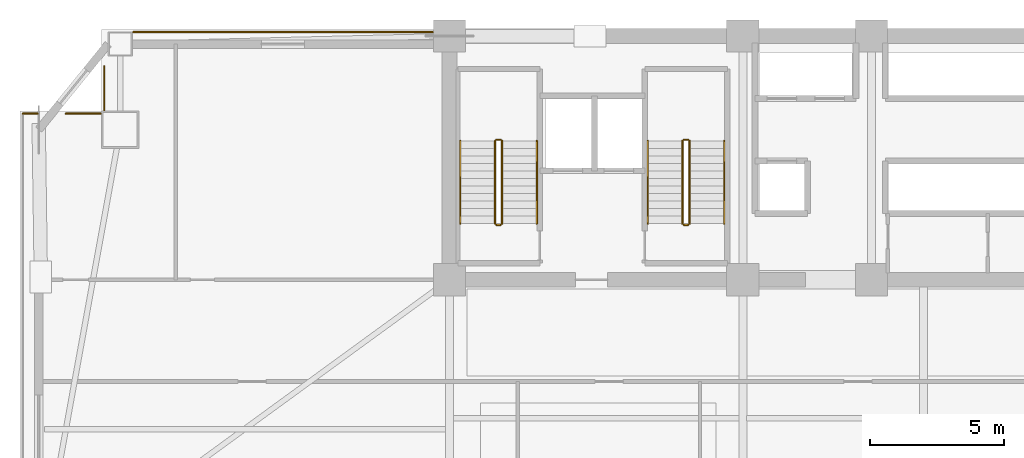
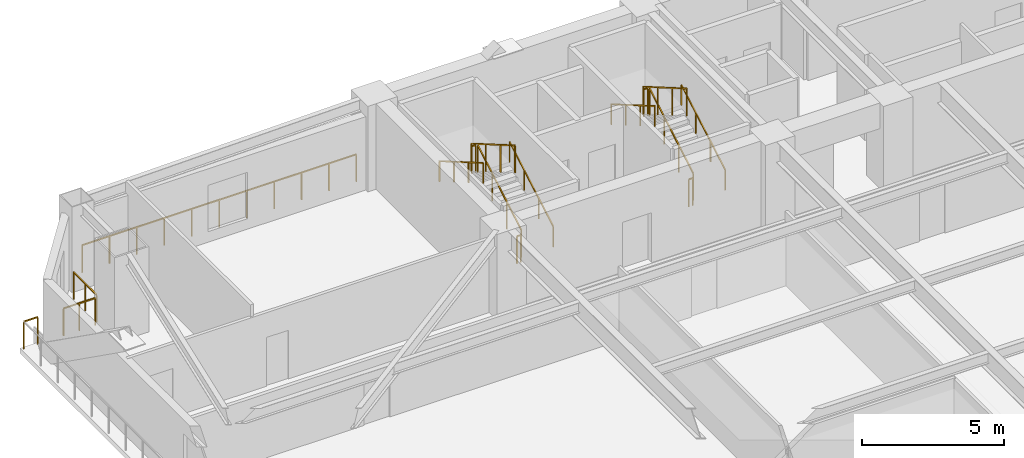
# One storey, part 14 of 15: 16 railings.
"""IFC4 building model written with IfcOpenShell, lengths in metres."""

from ifc_helpers import new_model, si_unit, direction, frame, origin, origin_2d, place, context, subcontext, project, spatial, rectangle, extrude, material, type_object, element, save


model = new_model("IFC4")

# Units and contexts
model_context = context("Model", 3, precision=1e-05, world=origin(), true_north=direction((0.0, 1.0)))
body_context = subcontext(model_context, "Body", "Model", "MODEL_VIEW")
ifc_project = project(units=[si_unit("LENGTHUNIT", "METRE"), si_unit("AREAUNIT", "SQUARE_METRE"), si_unit("VOLUMEUNIT", "CUBIC_METRE"), si_unit("PLANEANGLEUNIT", "RADIAN"), si_unit("MASSUNIT", "GRAM", prefix="KILO")], contexts=[model_context])

# Site, building, storey
site_placement = place(None, origin())
site = spatial("IfcSite", under=ifc_project, at=site_placement, CompositionType="ELEMENT")
building_placement = place(site_placement, origin())
building = spatial("IfcBuilding", under=site, at=building_placement, Name="Giltprow Tower", CompositionType="ELEMENT")
storey_placement = place(building_placement, frame((0.0, 0.0, 99.699951171875)))
storey = spatial("IfcBuildingStorey", under=building, at=storey_placement, Name="L24", CompositionType="ELEMENT", Elevation=99.699951171875)

# Railings
ifc_material = material(Name="Anodized bronze", Category="metal")
railing_type_1 = type_object("IfcRailingType", Name="RAIL-BALC-GUARD-1200", PredefinedType="BALUSTRADE", material=ifc_material)
railing_1_placement = place(storey_placement, frame((3.909912109375, 43.656005859375, 0.0)))
element("IfcRailing", 1, at=railing_1_placement, inside=storey, type_object=railing_type_1, Name="L24 Corner Apron Edge Balustrade 6", PredefinedType="BALUSTRADE", context=body_context, shape_type="SweptSolid", body=[
    extrude(rectangle(XDim=0.048095703125, YDim=0.048095703125, at=origin_2d()), frame((0.0, 0.0, 1.17578125), z_axis=(1.0, 0.0, 0.0), x_axis=(0.0, 1.0, 0.0)), (0.0, 0.0, 1.0), 0.55908203125),
    extrude(rectangle(XDim=0.0419921875, YDim=0.0419921875, at=origin_2d()), origin(), (0.0, 0.0, 1.0), 1.15185546875),
    extrude(rectangle(XDim=0.0419921875, YDim=0.0419921875, at=origin_2d()), frame((0.55908203125, 0.0, 0.0)), (0.0, 0.0, 1.0), 1.15185546875),
])
railing_2_placement = place(storey_placement, frame((5.52490234375, 43.656005859375, 0.0)))
element("IfcRailing", 2, at=railing_2_placement, inside=storey, type_object=railing_type_1, Name="L24 Corner Apron Edge Balustrade 7", PredefinedType="BALUSTRADE", context=body_context, shape_type="SweptSolid", body=[
    extrude(rectangle(XDim=0.048095703125, YDim=0.048095703125, at=origin_2d()), frame((0.0, 0.0, 1.17578125), z_axis=(1.0, 0.0, 0.0), x_axis=(0.0, 1.0, 0.0)), (0.0, 0.0, 1.0), 1.293212890625),
    extrude(rectangle(XDim=0.0419921875, YDim=0.0419921875, at=origin_2d()), origin(), (0.0, 0.0, 1.0), 1.15185546875),
    extrude(rectangle(XDim=0.0419921875, YDim=0.0419921875, at=origin_2d()), frame((0.646484375, 0.0, 0.0)), (0.0, 0.0, 1.0), 1.15185546875),
    extrude(rectangle(XDim=0.0419921875, YDim=0.0419921875, at=origin_2d()), frame((1.293212890625, 0.0, 0.0)), (0.0, 0.0, 1.0), 1.15185546875),
])
railing_3_placement = place(storey_placement, frame((6.952880859375, 43.791015625, 0.0)))
element("IfcRailing", 3, at=railing_3_placement, inside=storey, type_object=railing_type_1, Name="L24 Corner Apron Edge Balustrade 8", PredefinedType="BALUSTRADE", context=body_context, shape_type="SweptSolid", body=[
    extrude(rectangle(XDim=0.048095703125, YDim=0.048095703125, at=origin_2d()), frame((0.0, 0.0, 1.17578125), z_axis=(0.0, 1.0, 0.0), x_axis=(-1.0, 0.0, 0.0)), (0.0, 0.0, 1.0), 1.6240234375),
    extrude(rectangle(XDim=0.0419921875, YDim=0.0419921875, at=origin_2d()), origin(), (0.0, 0.0, 1.0), 1.15185546875),
    extrude(rectangle(XDim=0.0419921875, YDim=0.0419921875, at=origin_2d()), frame((0.0, 0.81201171875, 0.0)), (0.0, 0.0, 1.0), 1.15185546875),
    extrude(rectangle(XDim=0.0419921875, YDim=0.0419921875, at=origin_2d()), frame((0.0, 1.6240234375, 0.0)), (0.0, 0.0, 1.0), 1.15185546875),
])
railing_4_placement = place(storey_placement, frame((8.0380859375, 46.698974609375, 0.0)))
element("IfcRailing", 4, at=railing_4_placement, inside=storey, type_object=railing_type_1, Name="L24 Corner Apron Edge Balustrade 9", PredefinedType="BALUSTRADE", context=body_context, shape_type="SweptSolid", body=[
    extrude(rectangle(XDim=0.048095703125, YDim=0.048095703125, at=origin_2d()), frame((0.0, 0.0, 1.17578125), z_axis=(1.0, 0.0, 0.0), x_axis=(0.0, 1.0, 0.0)), (0.0, 0.0, 1.0), 11.177001953125),
    extrude(rectangle(XDim=0.0419921875, YDim=0.0419921875, at=origin_2d()), origin(), (0.0, 0.0, 1.0), 1.15185546875),
    extrude(rectangle(XDim=0.0419921875, YDim=0.0419921875, at=origin_2d()), frame((1.11767578125, 0.0, 0.0)), (0.0, 0.0, 1.0), 1.15185546875),
    extrude(rectangle(XDim=0.0419921875, YDim=0.0419921875, at=origin_2d()), frame((2.2353515625, 0.0, 0.0)), (0.0, 0.0, 1.0), 1.15185546875),
    extrude(rectangle(XDim=0.0419921875, YDim=0.0419921875, at=origin_2d()), frame((3.35302734375, 0.0, 0.0)), (0.0, 0.0, 1.0), 1.15185546875),
    extrude(rectangle(XDim=0.0419921875, YDim=0.0419921875, at=origin_2d()), frame((4.470703125, 0.0, 0.0)), (0.0, 0.0, 1.0), 1.15185546875),
    extrude(rectangle(XDim=0.0419921875, YDim=0.0419921875, at=origin_2d()), frame((5.58837890625, 0.0, 0.0)), (0.0, 0.0, 1.0), 1.15185546875),
    extrude(rectangle(XDim=0.0419921875, YDim=0.0419921875, at=origin_2d()), frame((6.706298828125, 0.0, 0.0)), (0.0, 0.0, 1.0), 1.15185546875),
    extrude(rectangle(XDim=0.0419921875, YDim=0.0419921875, at=origin_2d()), frame((7.823974609375, 0.0, 0.0)), (0.0, 0.0, 1.0), 1.15185546875),
    extrude(rectangle(XDim=0.0419921875, YDim=0.0419921875, at=origin_2d()), frame((8.941650390625, 0.0, 0.0)), (0.0, 0.0, 1.0), 1.15185546875),
    extrude(rectangle(XDim=0.0419921875, YDim=0.0419921875, at=origin_2d()), frame((10.059326171875, 0.0, 0.0)), (0.0, 0.0, 1.0), 1.15185546875),
    extrude(rectangle(XDim=0.0419921875, YDim=0.0419921875, at=origin_2d()), frame((11.177001953125, 0.0, 0.0)), (0.0, 0.0, 1.0), 1.15185546875),
])
railing_type_2 = type_object("IfcRailingType", Name="RAIL-STAIR-GUARD-1200", PredefinedType="GUARDRAIL", material=ifc_material)
railing_5_placement = place(storey_placement, frame((21.81005859375, 39.550048828125, 0.16259765625)))
element("IfcRailing", 5, at=railing_5_placement, inside=storey, type_object=railing_type_2, Name="L24 ST-1 stair guard 1", PredefinedType="GUARDRAIL", context=body_context, shape_type="SweptSolid", body=[
    extrude(rectangle(XDim=0.048095703125, YDim=0.048095703125, at=origin_2d()), frame((0.0, 0.0, 1.17578125), z_axis=(0.0, 0.864903211148, 0.501938676878), x_axis=(-1.0, 0.0, 0.0)), (0.0, 0.0, 1.0), 3.560791015625),
    extrude(rectangle(XDim=0.0419921875, YDim=0.0419921875, at=origin_2d()), origin(), (0.0, 0.0, 1.0), 1.15185546875),
    extrude(rectangle(XDim=0.0419921875, YDim=0.0419921875, at=origin_2d()), frame((0.0, 1.026611328125, 0.595703125)), (0.0, 0.0, 1.0), 1.15185546875),
    extrude(rectangle(XDim=0.0419921875, YDim=0.0419921875, at=origin_2d()), frame((0.0, 2.05322265625, 1.191650390625)), (0.0, 0.0, 1.0), 1.15185546875),
    extrude(rectangle(XDim=0.0419921875, YDim=0.0419921875, at=origin_2d()), frame((0.0, 3.079833984375, 1.787353515625)), (0.0, 0.0, 1.0), 1.15185546875),
])
railing_6_placement = place(storey_placement, frame((21.760009765625, 42.679931640625, 1.949951171875)))
element("IfcRailing", 6, at=railing_6_placement, inside=storey, type_object=railing_type_2, Name="L24 ST-1 stair guard 2", PredefinedType="GUARDRAIL", context=body_context, shape_type="SweptSolid", body=[
    extrude(rectangle(XDim=0.048095703125, YDim=0.048095703125, at=origin_2d()), frame((0.0, 0.0, 1.17578125), z_axis=(-1.0, 0.0, 0.0), x_axis=(0.0, -1.0, 0.0)), (0.0, 0.0, 1.0), 0.159912109375),
    extrude(rectangle(XDim=0.0419921875, YDim=0.0419921875, at=origin_2d()), origin(), (0.0, 0.0, 1.0), 1.15185546875),
    extrude(rectangle(XDim=0.0419921875, YDim=0.0419921875, at=origin_2d()), frame((-0.159912109375, 0.0, 0.0)), (0.0, 0.0, 1.0), 1.15185546875),
])
railing_7_placement = place(storey_placement, frame((21.550048828125, 42.6298828125, 2.112548828125)))
element("IfcRailing", 7, at=railing_7_placement, inside=storey, type_object=railing_type_2, Name="L24 ST-1 stair guard 3", PredefinedType="GUARDRAIL", context=body_context, shape_type="SweptSolid", body=[
    extrude(rectangle(XDim=0.048095703125, YDim=0.048095703125, at=origin_2d()), frame((0.0, 0.0, 1.17578125), z_axis=(0.0, -0.864873446163, 0.501989962173), x_axis=(1.0, 0.0, 0.0)), (0.0, 0.0, 1.0), 3.56103515625),
    extrude(rectangle(XDim=0.0419921875, YDim=0.0419921875, at=origin_2d()), origin(), (0.0, 0.0, 1.0), 1.15185546875),
    extrude(rectangle(XDim=0.0419921875, YDim=0.0419921875, at=origin_2d()), frame((0.0, -1.026611328125, 0.595947265625)), (0.0, 0.0, 1.0), 1.15185546875),
    extrude(rectangle(XDim=0.0419921875, YDim=0.0419921875, at=origin_2d()), frame((0.0, -2.05322265625, 1.191650390625)), (0.0, 0.0, 1.0), 1.15185546875),
    extrude(rectangle(XDim=0.0419921875, YDim=0.0419921875, at=origin_2d()), frame((0.0, -3.079833984375, 1.78759765625)), (0.0, 0.0, 1.0), 1.15185546875),
])
railing_8_placement = place(storey_placement, frame((21.760009765625, 39.5, 0.0)))
element("IfcRailing", 8, at=railing_8_placement, inside=storey, type_object=railing_type_2, Name="L24 ST-1 stair guard 4", PredefinedType="GUARDRAIL", context=body_context, shape_type="SweptSolid", body=[
    extrude(rectangle(XDim=0.048095703125, YDim=0.048095703125, at=origin_2d()), frame((0.0, 0.0, 1.17578125), z_axis=(-1.0, 0.0, 0.0), x_axis=(0.0, -1.0, 0.0)), (0.0, 0.0, 1.0), 0.159912109375),
    extrude(rectangle(XDim=0.0419921875, YDim=0.0419921875, at=origin_2d()), origin(), (0.0, 0.0, 1.0), 1.15185546875),
    extrude(rectangle(XDim=0.0419921875, YDim=0.0419921875, at=origin_2d()), frame((-0.159912109375, 0.0, 0.0)), (0.0, 0.0, 1.0), 1.15185546875),
])
railing_9_placement = place(storey_placement, frame((28.81005859375, 39.550048828125, 0.16259765625)))
element("IfcRailing", 9, at=railing_9_placement, inside=storey, type_object=railing_type_2, Name="L24 ST-2 stair guard 1", PredefinedType="GUARDRAIL", context=body_context, shape_type="SweptSolid", body=[
    extrude(rectangle(XDim=0.048095703125, YDim=0.048095703125, at=origin_2d()), frame((0.0, 0.0, 1.17578125), z_axis=(0.0, 0.864903211148, 0.501938676878), x_axis=(-1.0, 0.0, 0.0)), (0.0, 0.0, 1.0), 3.560791015625),
    extrude(rectangle(XDim=0.0419921875, YDim=0.0419921875, at=origin_2d()), origin(), (0.0, 0.0, 1.0), 1.15185546875),
    extrude(rectangle(XDim=0.0419921875, YDim=0.0419921875, at=origin_2d()), frame((0.0, 1.026611328125, 0.595703125)), (0.0, 0.0, 1.0), 1.15185546875),
    extrude(rectangle(XDim=0.0419921875, YDim=0.0419921875, at=origin_2d()), frame((0.0, 2.05322265625, 1.191650390625)), (0.0, 0.0, 1.0), 1.15185546875),
    extrude(rectangle(XDim=0.0419921875, YDim=0.0419921875, at=origin_2d()), frame((0.0, 3.079833984375, 1.787353515625)), (0.0, 0.0, 1.0), 1.15185546875),
])
railing_10_placement = place(storey_placement, frame((28.760009765625, 42.679931640625, 1.949951171875)))
element("IfcRailing", 10, at=railing_10_placement, inside=storey, type_object=railing_type_2, Name="L24 ST-2 stair guard 2", PredefinedType="GUARDRAIL", context=body_context, shape_type="SweptSolid", body=[
    extrude(rectangle(XDim=0.048095703125, YDim=0.048095703125, at=origin_2d()), frame((0.0, 0.0, 1.17578125), z_axis=(-1.0, 0.0, 0.0), x_axis=(0.0, -1.0, 0.0)), (0.0, 0.0, 1.0), 0.159912109375),
    extrude(rectangle(XDim=0.0419921875, YDim=0.0419921875, at=origin_2d()), origin(), (0.0, 0.0, 1.0), 1.15185546875),
    extrude(rectangle(XDim=0.0419921875, YDim=0.0419921875, at=origin_2d()), frame((-0.159912109375, 0.0, 0.0)), (0.0, 0.0, 1.0), 1.15185546875),
])
railing_11_placement = place(storey_placement, frame((28.550048828125, 42.6298828125, 2.112548828125)))
element("IfcRailing", 11, at=railing_11_placement, inside=storey, type_object=railing_type_2, Name="L24 ST-2 stair guard 3", PredefinedType="GUARDRAIL", context=body_context, shape_type="SweptSolid", body=[
    extrude(rectangle(XDim=0.048095703125, YDim=0.048095703125, at=origin_2d()), frame((0.0, 0.0, 1.17578125), z_axis=(0.0, -0.864873446163, 0.501989962173), x_axis=(1.0, 0.0, 0.0)), (0.0, 0.0, 1.0), 3.56103515625),
    extrude(rectangle(XDim=0.0419921875, YDim=0.0419921875, at=origin_2d()), origin(), (0.0, 0.0, 1.0), 1.15185546875),
    extrude(rectangle(XDim=0.0419921875, YDim=0.0419921875, at=origin_2d()), frame((0.0, -1.026611328125, 0.595947265625)), (0.0, 0.0, 1.0), 1.15185546875),
    extrude(rectangle(XDim=0.0419921875, YDim=0.0419921875, at=origin_2d()), frame((0.0, -2.05322265625, 1.191650390625)), (0.0, 0.0, 1.0), 1.15185546875),
    extrude(rectangle(XDim=0.0419921875, YDim=0.0419921875, at=origin_2d()), frame((0.0, -3.079833984375, 1.78759765625)), (0.0, 0.0, 1.0), 1.15185546875),
])
railing_12_placement = place(storey_placement, frame((28.760009765625, 39.5, 0.0)))
element("IfcRailing", 12, at=railing_12_placement, inside=storey, type_object=railing_type_2, Name="L24 ST-2 stair guard 4", PredefinedType="GUARDRAIL", context=body_context, shape_type="SweptSolid", body=[
    extrude(rectangle(XDim=0.048095703125, YDim=0.048095703125, at=origin_2d()), frame((0.0, 0.0, 1.17578125), z_axis=(-1.0, 0.0, 0.0), x_axis=(0.0, -1.0, 0.0)), (0.0, 0.0, 1.0), 0.159912109375),
    extrude(rectangle(XDim=0.0419921875, YDim=0.0419921875, at=origin_2d()), origin(), (0.0, 0.0, 1.0), 1.15185546875),
    extrude(rectangle(XDim=0.0419921875, YDim=0.0419921875, at=origin_2d()), frame((-0.159912109375, 0.0, 0.0)), (0.0, 0.0, 1.0), 1.15185546875),
])
railing_type_3 = type_object("IfcRailingType", Name="RAIL-STAIR-HAND-900", PredefinedType="HANDRAIL", material=ifc_material)
railing_13_placement = place(storey_placement, frame((23.110107421875, 39.550048828125, 0.16259765625)))
element("IfcRailing", 13, at=railing_13_placement, inside=storey, type_object=railing_type_3, Name="L24 ST-1 stair handrail 1", PredefinedType="HANDRAIL", context=body_context, shape_type="SweptSolid", body=[
    extrude(rectangle(XDim=0.048095703125, YDim=0.048095703125, at=origin_2d()), frame((0.0, 0.0, 0.8759765625), z_axis=(0.0, 0.864903211148, 0.501938676878), x_axis=(-1.0, 0.0, 0.0)), (0.0, 0.0, 1.0), 3.560791015625),
    extrude(rectangle(XDim=0.0419921875, YDim=0.0419921875, at=origin_2d()), origin(), (0.0, 0.0, 1.0), 0.851806640625),
    extrude(rectangle(XDim=0.0419921875, YDim=0.0419921875, at=origin_2d()), frame((0.0, 1.026611328125, 0.595703125)), (0.0, 0.0, 1.0), 0.851806640625),
    extrude(rectangle(XDim=0.0419921875, YDim=0.0419921875, at=origin_2d()), frame((0.0, 2.05322265625, 1.191650390625)), (0.0, 0.0, 1.0), 0.851806640625),
    extrude(rectangle(XDim=0.0419921875, YDim=0.0419921875, at=origin_2d()), frame((0.0, 3.079833984375, 1.787353515625)), (0.0, 0.0, 1.0), 0.851806640625),
])
railing_14_placement = place(storey_placement, frame((20.25, 42.6298828125, 2.112548828125)))
element("IfcRailing", 14, at=railing_14_placement, inside=storey, type_object=railing_type_3, Name="L24 ST-1 stair handrail 2", PredefinedType="HANDRAIL", context=body_context, shape_type="SweptSolid", body=[
    extrude(rectangle(XDim=0.048095703125, YDim=0.048095703125, at=origin_2d()), frame((0.0, 0.0, 0.8759765625), z_axis=(0.0, -0.864873446163, 0.501989962173), x_axis=(1.0, 0.0, 0.0)), (0.0, 0.0, 1.0), 3.56103515625),
    extrude(rectangle(XDim=0.0419921875, YDim=0.0419921875, at=origin_2d()), origin(), (0.0, 0.0, 1.0), 0.851806640625),
    extrude(rectangle(XDim=0.0419921875, YDim=0.0419921875, at=origin_2d()), frame((0.0, -1.026611328125, 0.595947265625)), (0.0, 0.0, 1.0), 0.851806640625),
    extrude(rectangle(XDim=0.0419921875, YDim=0.0419921875, at=origin_2d()), frame((0.0, -2.05322265625, 1.191650390625)), (0.0, 0.0, 1.0), 0.851806640625),
    extrude(rectangle(XDim=0.0419921875, YDim=0.0419921875, at=origin_2d()), frame((0.0, -3.079833984375, 1.78759765625)), (0.0, 0.0, 1.0), 0.851806640625),
])
railing_15_placement = place(storey_placement, frame((30.110107421875, 39.550048828125, 0.16259765625)))
element("IfcRailing", 15, at=railing_15_placement, inside=storey, type_object=railing_type_3, Name="L24 ST-2 stair handrail 1", PredefinedType="HANDRAIL", context=body_context, shape_type="SweptSolid", body=[
    extrude(rectangle(XDim=0.048095703125, YDim=0.048095703125, at=origin_2d()), frame((0.0, 0.0, 0.8759765625), z_axis=(0.0, 0.864903211148, 0.501938676878), x_axis=(-1.0, 0.0, 0.0)), (0.0, 0.0, 1.0), 3.560791015625),
    extrude(rectangle(XDim=0.0419921875, YDim=0.0419921875, at=origin_2d()), origin(), (0.0, 0.0, 1.0), 0.851806640625),
    extrude(rectangle(XDim=0.0419921875, YDim=0.0419921875, at=origin_2d()), frame((0.0, 1.026611328125, 0.595703125)), (0.0, 0.0, 1.0), 0.851806640625),
    extrude(rectangle(XDim=0.0419921875, YDim=0.0419921875, at=origin_2d()), frame((0.0, 2.05322265625, 1.191650390625)), (0.0, 0.0, 1.0), 0.851806640625),
    extrude(rectangle(XDim=0.0419921875, YDim=0.0419921875, at=origin_2d()), frame((0.0, 3.079833984375, 1.787353515625)), (0.0, 0.0, 1.0), 0.851806640625),
])
railing_16_placement = place(storey_placement, frame((27.25, 42.6298828125, 2.112548828125)))
element("IfcRailing", 16, at=railing_16_placement, inside=storey, type_object=railing_type_3, Name="L24 ST-2 stair handrail 2", PredefinedType="HANDRAIL", context=body_context, shape_type="SweptSolid", body=[
    extrude(rectangle(XDim=0.048095703125, YDim=0.048095703125, at=origin_2d()), frame((0.0, 0.0, 0.8759765625), z_axis=(0.0, -0.864873446163, 0.501989962173), x_axis=(1.0, 0.0, 0.0)), (0.0, 0.0, 1.0), 3.56103515625),
    extrude(rectangle(XDim=0.0419921875, YDim=0.0419921875, at=origin_2d()), origin(), (0.0, 0.0, 1.0), 0.851806640625),
    extrude(rectangle(XDim=0.0419921875, YDim=0.0419921875, at=origin_2d()), frame((0.0, -1.026611328125, 0.595947265625)), (0.0, 0.0, 1.0), 0.851806640625),
    extrude(rectangle(XDim=0.0419921875, YDim=0.0419921875, at=origin_2d()), frame((0.0, -2.05322265625, 1.191650390625)), (0.0, 0.0, 1.0), 0.851806640625),
    extrude(rectangle(XDim=0.0419921875, YDim=0.0419921875, at=origin_2d()), frame((0.0, -3.079833984375, 1.78759765625)), (0.0, 0.0, 1.0), 0.851806640625),
])

save(model, "model.ifc")
